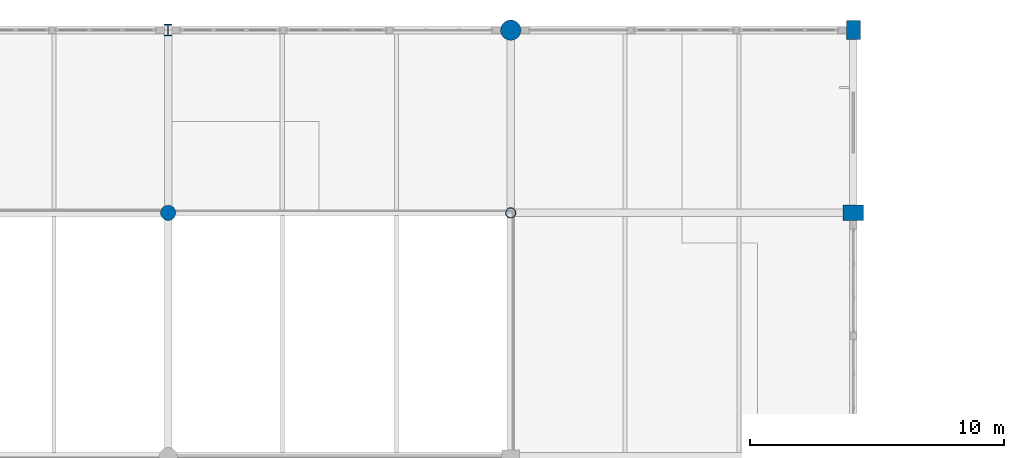
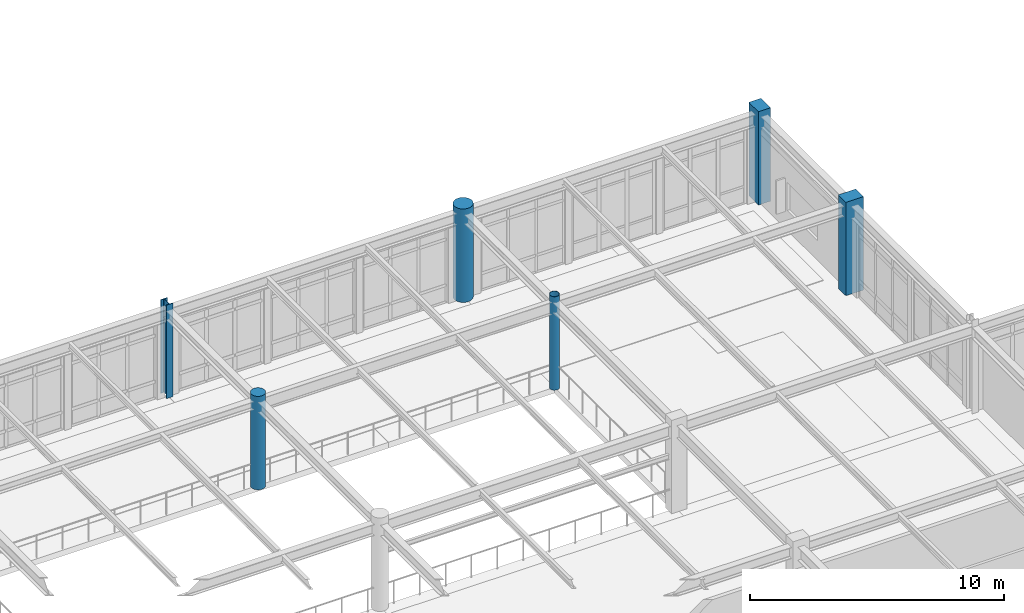
# One storey, part 5 of 61: 6 columns.
"""IFC4 building model written with IfcOpenShell, lengths in metres."""

from ifc_helpers import new_model, si_unit, direction, frame, origin, origin_2d, place, context, subcontext, project, spatial, rectangle, circle, hollow_circle, i_section, extrude, material, material_profile, profile_set, type_object, element, save


model = new_model("IFC4")

# Units and contexts
model_context = context("Model", 3, precision=1e-05, world=origin(), true_north=direction((0.0, 1.0)))
body_context = subcontext(model_context, "Body", "Model", "MODEL_VIEW")
ifc_project = project(units=[si_unit("LENGTHUNIT", "METRE"), si_unit("AREAUNIT", "SQUARE_METRE"), si_unit("VOLUMEUNIT", "CUBIC_METRE"), si_unit("PLANEANGLEUNIT", "RADIAN"), si_unit("MASSUNIT", "GRAM", prefix="KILO")], contexts=[model_context])

# Site, building, storey
site_placement = place(None, origin())
site = spatial("IfcSite", under=ifc_project, at=site_placement, CompositionType="ELEMENT")
building_placement = place(site_placement, origin())
building = spatial("IfcBuilding", under=site, at=building_placement, Name="Fikremerkos Civic Library", CompositionType="ELEMENT")
storey_placement = place(building_placement, frame((0.0, 0.0, 14.39990234375)))
storey = spatial("IfcBuildingStorey", under=building, at=storey_placement, Name="L03", CompositionType="ELEMENT", Elevation=14.39990234375)

# Columns
ifc_material_1 = material(Name="Concrete C40/50", Category="concrete")
ifc_material_profile_1 = material_profile(ifc_material_1, rectangle(XDim=0.800048828125, YDim=0.60009765625, at=origin_2d()), Name="RC 800x600")
ifc_profile_set_1 = profile_set([ifc_material_profile_1], Name="Concrete C40/50")
column_type_1 = type_object("IfcColumnType", Name="Structural column COL-14 RC 800x600", PredefinedType="COLUMN", material=ifc_profile_set_1)
column_1_placement = place(storey_placement, frame((100.199951171875, 40.800048828125, 0.0), z_axis=(0.0, 0.0, 1.0), x_axis=(1.0, 0.0, 0.0)))
element("IfcColumn", 1, at=column_1_placement, inside=storey, type_object=column_type_1, Name="Column COL-14 L03 9/H", PredefinedType="COLUMN", context=body_context, shape_type="SweptSolid", body=[
    extrude(rectangle(XDim=0.800048828125, YDim=0.60009765625, at=origin_2d()), origin(), (0.0, 0.0, 1.0), 4.5),
])
ifc_material_profile_2 = material_profile(ifc_material_1, rectangle(XDim=0.75, YDim=0.550048828125, at=origin_2d()), Name="RC 750x550")
ifc_profile_set_2 = profile_set([ifc_material_profile_2], Name="Concrete C40/50")
column_type_2 = type_object("IfcColumnType", Name="Structural column COL-15 RC 750x550", PredefinedType="COLUMN", material=ifc_profile_set_2)
column_2_placement = place(storey_placement, frame((100.199951171875, 48.0, 0.0), z_axis=(0.0, 0.0, 1.0), x_axis=(0.0, 1.0, 0.0)))
element("IfcColumn", 2, at=column_2_placement, inside=storey, type_object=column_type_2, Name="Column COL-15 L03 9/J", PredefinedType="COLUMN", context=body_context, shape_type="SweptSolid", body=[
    extrude(rectangle(XDim=0.75, YDim=0.550048828125, at=origin_2d()), origin(), (0.0, 0.0, 1.0), 4.5),
])
ifc_material_profile_3 = material_profile(ifc_material_1, circle(Radius=0.39990234375, at=origin_2d()), Name="RC D800")
ifc_profile_set_3 = profile_set([ifc_material_profile_3], Name="Concrete C40/50")
column_type_3 = type_object("IfcColumnType", Name="Structural column COL-18 RC D800", PredefinedType="COLUMN", material=ifc_profile_set_3)
column_3_placement = place(storey_placement, frame((86.699951171875, 48.0, 0.0), z_axis=(0.0, 0.0, 1.0), x_axis=(1.0, 0.0, 0.0)))
element("IfcColumn", 3, at=column_3_placement, inside=storey, type_object=column_type_3, Name="Column COL-18 L03 8/J", PredefinedType="COLUMN", context=body_context, shape_type="SweptSolid", body=[
    extrude(circle(Radius=0.39990234375, at=origin_2d()), origin(), (0.0, 0.0, 1.0), 4.5),
])
ifc_material_profile_4 = material_profile(ifc_material_1, circle(Radius=0.300048828125, at=origin_2d()), Name="RC D600")
ifc_profile_set_4 = profile_set([ifc_material_profile_4], Name="Concrete C40/50")
column_type_4 = type_object("IfcColumnType", Name="Structural column COL-20 RC D600", PredefinedType="COLUMN", material=ifc_profile_set_4)
column_4_placement = place(storey_placement, frame((73.199951171875, 40.800048828125, 0.0), z_axis=(0.0, 0.0, 1.0), x_axis=(1.0, 0.0, 0.0)))
element("IfcColumn", 4, at=column_4_placement, inside=storey, type_object=column_type_4, Name="Column COL-20 L03 7/H", PredefinedType="COLUMN", context=body_context, shape_type="SweptSolid", body=[
    extrude(circle(Radius=0.300048828125, at=origin_2d()), origin(), (0.0, 0.0, 1.0), 4.5),
])
ifc_material_2 = material(Name="Steel S355", Category="steel")
ifc_material_profile_5 = material_profile(ifc_material_2, i_section(OverallWidth=0.300048828125, OverallDepth=0.449951171875, WebThickness=0.013916015625, FlangeThickness=0.02587890625, FilletRadius=0.027099609375, at=origin_2d()), Name="HEB 450")
ifc_profile_set_5 = profile_set([ifc_material_profile_5], Name="Steel S355")
column_type_5 = type_object("IfcColumnType", Name="Structural column COL-23 HEB 450", PredefinedType="COLUMN", material=ifc_profile_set_5)
column_5_placement = place(storey_placement, frame((73.199951171875, 48.0, 0.0), z_axis=(0.0, 0.0, 1.0), x_axis=(1.0, 0.0, 0.0)))
element("IfcColumn", 5, at=column_5_placement, inside=storey, type_object=column_type_5, Name="Column COL-23 L03 7/J", PredefinedType="COLUMN", context=body_context, shape_type="SweptSolid", body=[
    extrude(i_section(OverallWidth=0.300048828125, OverallDepth=0.449951171875, WebThickness=0.013916015625, FlangeThickness=0.02587890625, FilletRadius=0.027099609375, at=origin_2d()), origin(), (0.0, 0.0, 1.0), 4.5),
])
ifc_material_profile_6 = material_profile(ifc_material_2, hollow_circle(Radius=0.203125, WallThickness=0.01611328125, at=origin_2d()), Name="CHS 406.4x16")
ifc_profile_set_6 = profile_set([ifc_material_profile_6], Name="Steel S355")
column_type_6 = type_object("IfcColumnType", Name="Structural column COL-29 CHS 406.4x16", PredefinedType="COLUMN", material=ifc_profile_set_6)
column_6_placement = place(storey_placement, frame((86.699951171875, 40.800048828125, 0.0), z_axis=(0.0, 0.0, 1.0), x_axis=(1.0, 0.0, 0.0)))
element("IfcColumn", 6, at=column_6_placement, inside=storey, type_object=column_type_6, Name="Column COL-29 L03 8/H", PredefinedType="COLUMN", context=body_context, shape_type="SweptSolid", body=[
    extrude(hollow_circle(Radius=0.203125, WallThickness=0.01611328125, at=origin_2d()), origin(), (0.0, 0.0, 1.0), 4.5),
])

save(model, "model.ifc")
